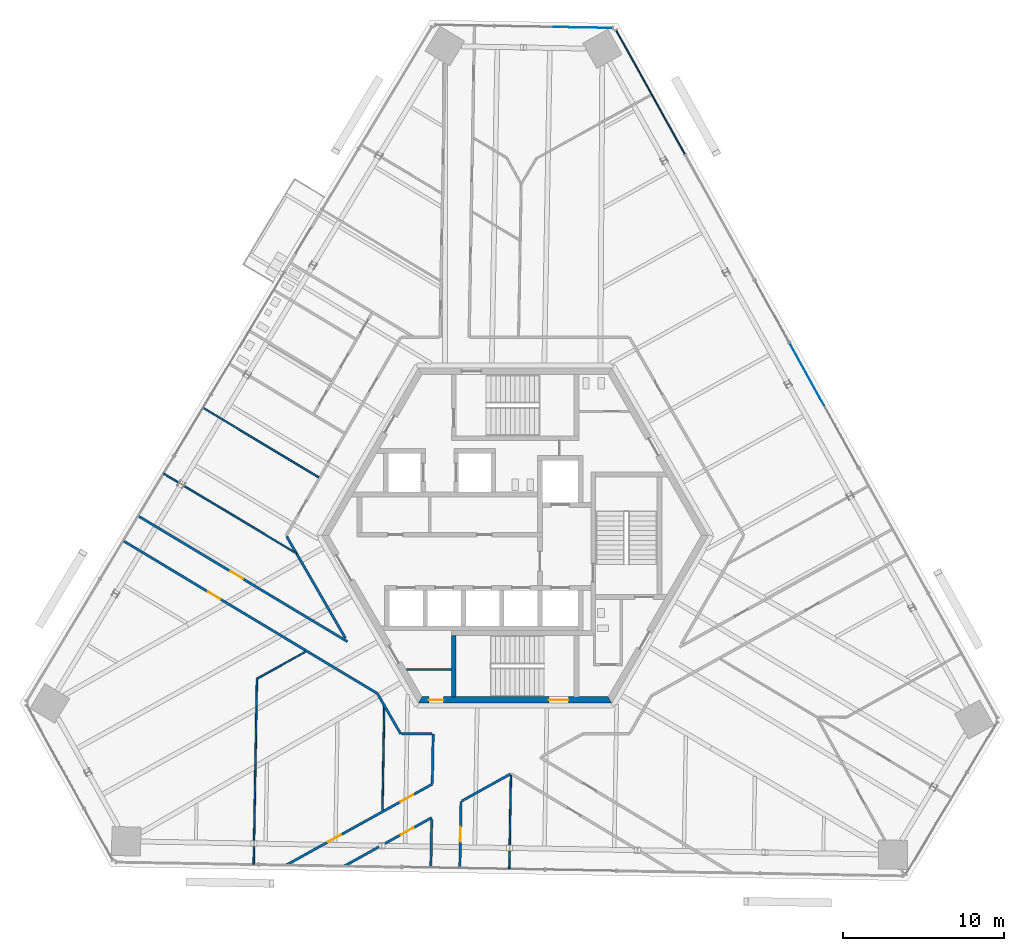
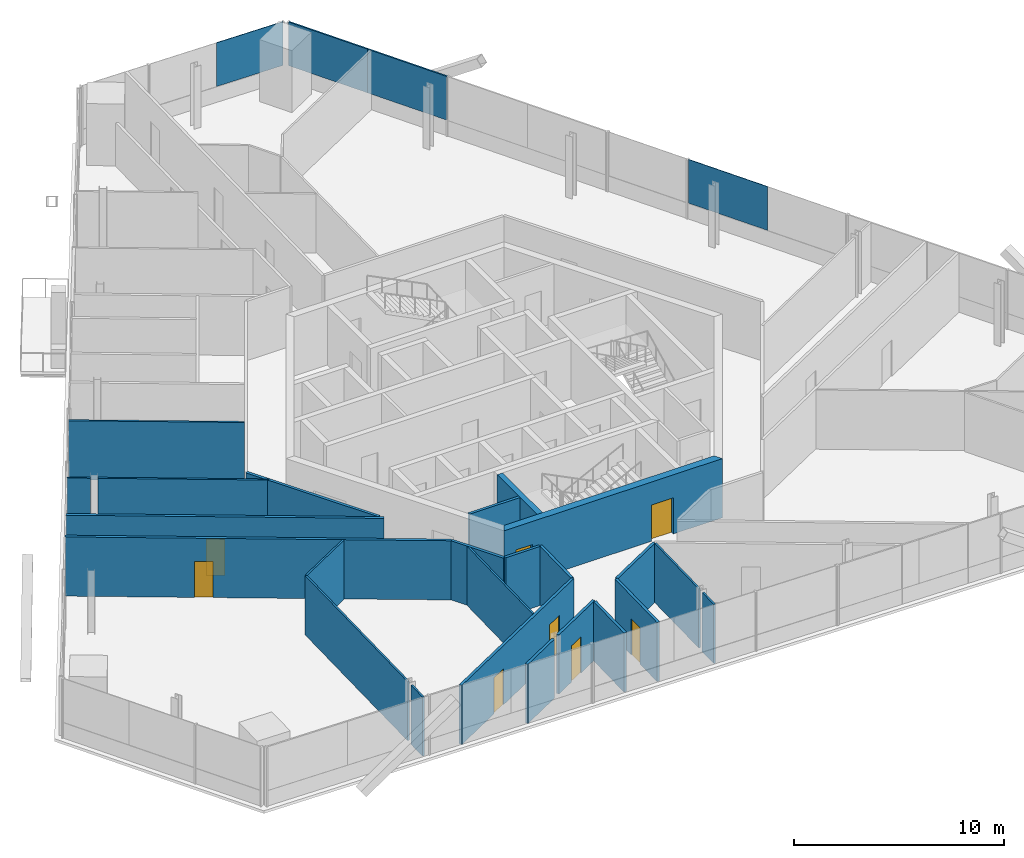
# One storey, part 11 of 19: 24 walls, 8 doors, 4 plates, 8 openings, 3 elements without a shape of their own.
"""IFC4 building model written with IfcOpenShell, lengths in metres."""

from ifc_helpers import new_model, si_unit, direction, frame, frame_2d, origin, origin_2d, place, context, subcontext, project, spatial, polyline, rectangle, outline, extrude, source, transform, mapped, material, layer, layer_set, type_object, element, fill, aggregate, save


model = new_model("IFC4")

# Units and contexts
model_context = context("Model", 3, precision=1e-05, world=origin(), true_north=direction((0.0, 1.0)))
body_context = subcontext(model_context, "Body", "Model", "MODEL_VIEW")
ifc_project = project(units=[si_unit("LENGTHUNIT", "METRE"), si_unit("AREAUNIT", "SQUARE_METRE"), si_unit("VOLUMEUNIT", "CUBIC_METRE"), si_unit("PLANEANGLEUNIT", "RADIAN"), si_unit("MASSUNIT", "GRAM", prefix="KILO")], contexts=[model_context])

# Site, building, storey
site_placement = place(None, origin())
site = spatial("IfcSite", under=ifc_project, at=site_placement, CompositionType="ELEMENT")
building_placement = place(site_placement, origin())
building = spatial("IfcBuilding", under=site, at=building_placement, Name="Triune Harvest Tower", CompositionType="ELEMENT")
storey_placement = place(building_placement, frame((0.0, 0.0, 183.5)))
storey = spatial("IfcBuildingStorey", under=building, at=storey_placement, Name="L47", CompositionType="ELEMENT", Elevation=183.5)

# Curtain wall, plate
ifc_material_1 = material(Name="Aluminium bronze anodised", Category="aluminium")
curtain_wall_type_1 = type_object("IfcCurtainWallType", Name="CW-1 Tower stick curtain wall", PredefinedType="NOTDEFINED", material=ifc_material_1)
curtain_wall_1_placement = place(storey_placement, origin())
curtain_wall_1 = element("IfcCurtainWall", 1, at=curtain_wall_1_placement, inside=storey, type_object=curtain_wall_type_1, Name="CW-1 B5-F2 L47 run 1")
ifc_material_2 = material(Name="Glass", Category="glass")
ifc_layer_1 = layer(ifc_material_2, 0.031982421875)
ifc_layer_set_1 = layer_set([ifc_layer_1], Name="Glass")
plate_type_1 = type_object("IfcPlateType", Name="GL-1 panel 32", PredefinedType="CURTAIN_PANEL", material=ifc_layer_set_1)
shared_shape_1 = source(origin(), body_context, "Body", "SweptSolid", [
    extrude(rectangle(XDim=3.625, YDim=0.031982421875, at=origin_2d()), origin(), (0.0, 0.0, 1.0), 2.5400390625),
])
plate_1_placement = place(storey_placement, frame((4.213134765625, 31.516357421875, 0.89990234375), z_axis=(0.0, 0.0, 1.0), x_axis=(-0.999847801404, 0.017446318452, 0.0)))
plate_1 = element("IfcPlate", 2, at=plate_1_placement, type_object=plate_type_1, Name="CW-1 panel B5-F2 1.1", PredefinedType="CURTAIN_PANEL", context=body_context, shape_type="MappedRepresentation", body=[
    mapped(shared_shape_1, transform((0.0, 0.0, 0.0), scale=1.0)),
])
aggregate(curtain_wall_1, [plate_1])

# Curtain wall, plates
ifc_material_3 = material(Name="Aluminium bronze anodised", Category="aluminium")
curtain_wall_type_2 = type_object("IfcCurtainWallType", Name="CW-7 Tower stick curtain wall with insulated spandrel infill", PredefinedType="NOTDEFINED", material=ifc_material_3)
curtain_wall_2_placement = place(storey_placement, origin())
curtain_wall_2 = element("IfcCurtainWall", 3, at=curtain_wall_2_placement, inside=storey, type_object=curtain_wall_type_2, Name="CW-7 B5-F1 L47 run 2001")
ifc_material_4 = material(Name="Insulated spandrel panel, bronze aluminium pan", Category="aluminium")
ifc_layer_2 = layer(ifc_material_4, 0.080078125)
ifc_layer_set_2 = layer_set([ifc_layer_2], Name="Insulated spandrel panel, bronze aluminium pan")
plate_type_2 = type_object("IfcPlateType", Name="SP-1 insulated spandrel panel 80", PredefinedType="CURTAIN_PANEL", material=ifc_layer_set_2)
shared_shape_2 = source(origin(), body_context, "Body", "SweptSolid", [
    extrude(rectangle(XDim=4.369384765625, YDim=0.080078125, at=origin_2d()), origin(), (0.0, 0.0, 1.0), 2.5400390625),
])
plate_2_placement = place(storey_placement, frame((7.32958984375, 29.4267578125, 0.89990234375), z_axis=(0.0, 0.0, 1.0), x_axis=(-0.484808244015, 0.874620469995, 0.0)))
plate_2 = element("IfcPlate", 4, at=plate_2_placement, type_object=plate_type_2, Name="CW-7 panel B5-F1 2001.4", PredefinedType="CURTAIN_PANEL", context=body_context, shape_type="MappedRepresentation", body=[
    mapped(shared_shape_2, transform((0.0, 0.0, 0.0), scale=1.0)),
])
shared_shape_3 = source(origin(), body_context, "Body", "SweptSolid", [
    extrude(rectangle(XDim=4.40673828125, YDim=0.080078125, at=origin_2d()), origin(), (0.0, 0.0, 1.0), 2.5400390625),
])
plate_3_placement = place(storey_placement, frame((9.45703125, 25.589111328125, 0.89990234375), z_axis=(0.0, 0.0, 1.0), x_axis=(-0.484808244015, 0.874620469995, 0.0)))
plate_3 = element("IfcPlate", 5, at=plate_3_placement, type_object=plate_type_2, Name="CW-7 panel B5-F1 2001.3", PredefinedType="CURTAIN_PANEL", context=body_context, shape_type="MappedRepresentation", body=[
    mapped(shared_shape_3, transform((0.0, 0.0, 0.0), scale=1.0)),
])
aggregate(curtain_wall_2, [plate_3, plate_2])

# Curtain wall, plate
curtain_wall_3_placement = place(storey_placement, origin())
curtain_wall_3 = element("IfcCurtainWall", 6, at=curtain_wall_3_placement, inside=storey, type_object=curtain_wall_type_1, Name="CW-1 B5-F1 L47 run 1001")
shared_shape_4 = source(origin(), body_context, "Body", "SweptSolid", [
    extrude(rectangle(XDim=4.40673828125, YDim=0.031982421875, at=origin_2d()), origin(), (0.0, 0.0, 1.0), 2.5400390625),
])
plate_4_placement = place(storey_placement, frame((18.09375, 10.008056640625, 0.89990234375), z_axis=(0.0, 0.0, 1.0), x_axis=(-0.48480912047, 0.87461998417, 0.0)))
plate_4 = element("IfcPlate", 7, at=plate_4_placement, type_object=plate_type_1, Name="CW-1 panel B5-F1 1001.2", PredefinedType="CURTAIN_PANEL", context=body_context, shape_type="MappedRepresentation", body=[
    mapped(shared_shape_4, transform((0.0, 0.0, 0.0), scale=1.0)),
])
aggregate(curtain_wall_3, [plate_4])

# Walls
ifc_material_5 = material(Name="Gypsum board on steel studs", Category="steel")
ifc_layer_3 = layer(ifc_material_5, 0.14990234375)
ifc_layer_set_3 = layer_set([ifc_layer_3], Name="Gypsum board on steel studs")
wall_type_1 = type_object("IfcWallType", Name="Fire Partition 150 mm", PredefinedType="PARTITIONING", material=ifc_layer_set_3)
wall_1_placement = place(storey_placement, frame((-5.132568359375, -15.362060546875, 0.0), z_axis=(0.0, 0.0, 1.0), x_axis=(0.017414250909, 0.999848360435, 0.0)))
element("IfcWall", 8, at=wall_1_placement, inside=storey, type_object=wall_type_1, Name="Partition L47 055", PredefinedType="PARTITIONING", context=body_context, shape_type="SweptSolid", body=[
    extrude(rectangle(XDim=3.0703125, YDim=0.14990234375, at=frame_2d((1.53515625, 0.0))), origin(), (0.0, 0.0, 1.0), 3.43994140625),
])
ifc_material_6 = material(Name="Gypsum board on steel studs", Category="steel")
ifc_layer_4 = layer(ifc_material_6, 0.10009765625)
ifc_layer_set_4 = layer_set([ifc_layer_4], Name="Gypsum board on steel studs")
wall_type_2 = type_object("IfcWallType", Name="Partition 100 mm", PredefinedType="PARTITIONING", material=ifc_layer_set_4)
wall_2_placement = place(storey_placement, frame((-19.356689453125, 7.931396484375, 0.0), z_axis=(0.0, 0.0, 1.0), x_axis=(0.857171354492, -0.51503132821, 0.0)))
element("IfcWall", 9, at=wall_2_placement, inside=storey, type_object=wall_type_2, Name="Partition L47 014", PredefinedType="PARTITIONING", context=body_context, shape_type="SweptSolid", body=[
    extrude(rectangle(XDim=8.3779296875, YDim=0.10009765625, at=frame_2d((4.18896484375, 0.0))), origin(), (0.0, 0.0, 1.0), 3.43994140625),
])

# Wall, openings, doors
ifc_material_7 = material(Name="Concrete 70 MPa", Category="concrete")
ifc_layer_5 = layer(ifc_material_7, 0.39990234375)
ifc_layer_set_5 = layer_set([ifc_layer_5], Name="Concrete 70 MPa")
wall_type_3 = type_object("IfcWallType", Name="Core wall 400", PredefinedType="SHEAR", material=ifc_layer_set_5)
shared_shape_5 = source(origin(), body_context, "Body", "SweptSolid", [
    extrude(outline(polyline([(-0.115478515625, -0.199951171875), (11.884521484375, -0.199951171875), (11.653564453125, 0.199951171875), (0.115478515625, 0.199951171875), (-0.115478515625, -0.199951171875)])), origin(), (0.0, 0.0, 1.0), 3.43994140625),
])
wall_3_placement = place(storey_placement, frame((-5.884521484375, -10.1923828125, 0.0), z_axis=(0.0, 0.0, 1.0), x_axis=(1.0, 0.0, 0.0)))
wall_3 = element("IfcWall", 10, at=wall_3_placement, inside=storey, type_object=wall_type_3, Name="Hexagon 4 wall", PredefinedType="SHEAR", context=body_context, shape_type="MappedRepresentation", body=[
    mapped(shared_shape_5, transform((0.0, 0.0, 0.0), scale=1.0)),
])
opening_1_placement = place(wall_3_placement, frame((7.984619140625, 0.0, 0.0)))
opening_1 = element("IfcOpeningElement", 11, at=opening_1_placement, cuts=wall_3, Name="Opening CD-S2P", PredefinedType="OPENING", context=body_context, shape_type="SweptSolid", body=[
    extrude(rectangle(XDim=1.199951171875, YDim=2.10009765625, at=frame_2d((0.60009765625, 1.050048828125))), frame((0.0, 0.2099609375, 0.0), z_axis=(0.0, -1.0, 0.0), x_axis=(1.0, 0.0, 0.0)), (0.0, 0.0, 1.0), 0.419921875),
])
opening_2_placement = place(wall_3_placement, frame((0.534423828125, 0.0, 0.0)))
opening_2 = element("IfcOpeningElement", 12, at=opening_2_placement, cuts=wall_3, Name="Opening CD-SWS", PredefinedType="OPENING", context=body_context, shape_type="SweptSolid", body=[
    extrude(rectangle(XDim=0.89990234375, YDim=2.10009765625, at=frame_2d((0.449951171875, 1.050048828125))), frame((0.0, 0.2099609375, 0.0), z_axis=(0.0, -1.0, 0.0), x_axis=(1.0, 0.0, 0.0)), (0.0, 0.0, 1.0), 0.419921875),
])
ifc_material_8 = material(Name="Steel S235", Category="steel")
door_type_1 = type_object("IfcDoorType", Name="Riser door 900 FD120", OperationType="SINGLE_SWING_LEFT", PredefinedType="DOOR", material=ifc_material_8)
door_1_placement = place(opening_2_placement, frame((0.89990234375, 0.0, 0.0), z_axis=(0.0, 0.0, 1.0), x_axis=(-1.0, 0.0, 0.0)))
door_1 = element("IfcDoor", 13, at=door_1_placement, inside=storey, type_object=door_type_1, Name="Door CD-SWS", OperationType="SINGLE_SWING_RIGHT", OverallHeight=2.10009765625, OverallWidth=0.89990234375, PredefinedType="DOOR", context=body_context, shape_type="SweptSolid", body=[
    extrude(rectangle(XDim=0.89990234375, YDim=2.10009765625, at=frame_2d((0.449951171875, 1.050048828125))), frame((0.0, 0.02490234375, 0.0), z_axis=(0.0, -1.0, 0.0), x_axis=(1.0, 0.0, 0.0)), (0.0, 0.0, 1.0), 0.050048828125),
])
fill(opening_2, door_1)
ifc_material_9 = material(Name="Steel S235", Category="steel")
door_type_2 = type_object("IfcDoorType", Name="Stair door 1200 FD120", OperationType="SINGLE_SWING_LEFT", PredefinedType="DOOR", material=ifc_material_9)
door_2_placement = place(opening_1_placement, frame((1.199951171875, 0.0, 0.0), z_axis=(0.0, 0.0, 1.0), x_axis=(-1.0, 0.0, 0.0)))
door_2 = element("IfcDoor", 14, at=door_2_placement, inside=storey, type_object=door_type_2, Name="Door CD-S2P", OperationType="SINGLE_SWING_RIGHT", OverallHeight=2.10009765625, OverallWidth=1.199951171875, PredefinedType="DOOR", context=body_context, shape_type="SweptSolid", body=[
    extrude(rectangle(XDim=1.199951171875, YDim=2.10009765625, at=frame_2d((0.60009765625, 1.050048828125))), frame((0.0, 0.02490234375, 0.0), z_axis=(0.0, -1.0, 0.0), x_axis=(1.0, 0.0, 0.0)), (0.0, 0.0, 1.0), 0.050048828125),
])
fill(opening_1, door_2)

# Walls
ifc_material_10 = material(Name="Concrete 70 MPa", Category="concrete")
ifc_layer_6 = layer(ifc_material_10, 0.300048828125)
ifc_layer_set_6 = layer_set([ifc_layer_6], Name="Concrete 70 MPa")
wall_type_4 = type_object("IfcWallType", Name="Core wall 300", PredefinedType="SHEAR", material=ifc_layer_set_6)
shared_shape_6 = source(origin(), body_context, "Body", "SweptSolid", [
    extrude(outline(polyline([(3.800048828125, -0.14990234375), (-0.00439453125, -0.14990234375), (-0.00439453125, 0.14990234375), (3.800048828125, 0.14990234375), (3.800048828125, -0.14990234375)])), origin(), (0.0, 0.0, 1.0), 3.43994140625),
])
wall_4_placement = place(storey_placement, frame((-3.800048828125, -9.989990234375, 0.0), z_axis=(0.0, 0.0, 1.0), x_axis=(0.0, 1.0, 0.0)))
element("IfcWall", 15, at=wall_4_placement, inside=storey, type_object=wall_type_4, Name="Stair s west wall", PredefinedType="SHEAR", context=body_context, shape_type="MappedRepresentation", body=[
    mapped(shared_shape_6, transform((0.0, 0.0, 0.0), scale=1.0)),
])
ifc_material_11 = material(Name="Concrete masonry unit", Category="masonry")
ifc_layer_7 = layer(ifc_material_11, 0.14990234375)
ifc_layer_set_7 = layer_set([ifc_layer_7], Name="Concrete masonry unit")
wall_type_5 = type_object("IfcWallType", Name="Block partition 150", PredefinedType="PARTITIONING", material=ifc_layer_set_7)
shared_shape_7 = source(origin(), body_context, "Body", "SweptSolid", [
    extrude(rectangle(XDim=2.777099609375, YDim=0.14990234375, at=frame_2d((1.388671875, 0.0))), origin(), (0.0, 0.0, 1.0), 3.43994140625),
])
wall_5_placement = place(storey_placement, frame((-6.72705078125, -8.300048828125, 0.0), z_axis=(0.0, 0.0, 1.0), x_axis=(1.0, 0.0, 0.0)))
element("IfcWall", 16, at=wall_5_placement, inside=storey, type_object=wall_type_5, Name="Sw part wall", PredefinedType="PARTITIONING", context=body_context, shape_type="MappedRepresentation", body=[
    mapped(shared_shape_7, transform((0.0, 0.0, 0.0), scale=1.0)),
])
shared_shape_8 = source(origin(), body_context, "Body", "SweptSolid", [
    extrude(rectangle(XDim=7.291015625, YDim=0.14990234375, at=frame_2d((3.6455078125, 0.0))), origin(), (0.0, 0.0, 1.0), 3.43994140625),
])
wall_6_placement = place(storey_placement, frame((-14.168701171875, -0.043701171875, 0.0), z_axis=(0.0, 0.0, 1.0), x_axis=(0.499999748559, -0.866025548954, 0.0)))
element("IfcWall", 17, at=wall_6_placement, inside=storey, type_object=wall_type_1, Name="Partition L47 004", PredefinedType="PARTITIONING", context=body_context, shape_type="MappedRepresentation", body=[
    mapped(shared_shape_8, transform((0.0, 0.0, 0.0), scale=1.0)),
])
shared_shape_9 = source(origin(), body_context, "Body", "SweptSolid", [
    extrude(rectangle(XDim=2.869873046875, YDim=0.14990234375, at=frame_2d((1.43505859375, 0.0))), origin(), (0.0, 0.0, 1.0), 3.43994140625),
])
wall_7_placement = place(storey_placement, frame((-8.531982421875, -9.806884765625, 0.0), z_axis=(0.0, 0.0, 1.0), x_axis=(0.499972835562, -0.866041086612, 0.0)))
element("IfcWall", 18, at=wall_7_placement, inside=storey, type_object=wall_type_1, Name="Partition L47 005", PredefinedType="PARTITIONING", context=body_context, shape_type="MappedRepresentation", body=[
    mapped(shared_shape_9, transform((0.0, 0.0, 0.0), scale=1.0)),
])

# Wall, opening, door
shared_shape_10 = source(origin(), body_context, "Body", "SweptSolid", [
    extrude(rectangle(XDim=18.3974609375, YDim=0.14990234375, at=frame_2d((9.19873046875, 0.0))), origin(), (0.0, 0.0, 1.0), 3.43994140625),
])
wall_8_placement = place(storey_placement, frame((-24.3115234375, -0.314453125, 0.0), z_axis=(0.0, 0.0, 1.0), x_axis=(0.857169585302, -0.515034272679, 0.0)))
wall_8 = element("IfcWall", 19, at=wall_8_placement, inside=storey, type_object=wall_type_1, Name="Partition L47 007", PredefinedType="PARTITIONING", context=body_context, shape_type="MappedRepresentation", body=[
    mapped(shared_shape_10, transform((0.0, 0.0, 0.0), scale=1.0)),
])
opening_3_placement = place(wall_8_placement, frame((6.14990234375, 0.0, 0.0)))
opening_3 = element("IfcOpeningElement", 20, at=opening_3_placement, cuts=wall_8, Name="Opening L47-016", PredefinedType="OPENING", context=body_context, shape_type="SweptSolid", body=[
    extrude(rectangle(XDim=0.89990234375, YDim=2.10009765625, at=frame_2d((0.449951171875, 1.050048828125))), frame((0.0, 0.0849609375, 0.0), z_axis=(0.0, -1.0, 0.0), x_axis=(1.0, 0.0, 0.0)), (0.0, 0.0, 1.0), 0.169921875),
])
ifc_material_12 = material(Name="Timber and steel door set", Category="steel")
door_type_3 = type_object("IfcDoorType", Name="Single leaf door FD30 right hand 900 x 2100", OperationType="SINGLE_SWING_RIGHT", PredefinedType="DOOR", material=ifc_material_12)
door_3_placement = place(opening_3_placement, origin())
door_3 = element("IfcDoor", 21, at=door_3_placement, inside=storey, type_object=door_type_3, Name="Door L47-016 Office 47.16", OperationType="SINGLE_SWING_RIGHT", OverallHeight=2.10009765625, OverallWidth=0.89990234375, PredefinedType="DOOR", context=body_context, shape_type="SweptSolid", body=[
    extrude(rectangle(XDim=0.89990234375, YDim=2.10009765625, at=frame_2d((0.449951171875, 1.050048828125))), frame((0.0, 0.02490234375, 0.0), z_axis=(0.0, -1.0, 0.0), x_axis=(1.0, 0.0, 0.0)), (0.0, 0.0, 1.0), 0.050048828125),
])
fill(opening_3, door_3)

shared_shape_11 = source(origin(), body_context, "Body", "SweptSolid", [
    extrude(rectangle(XDim=15.150390625, YDim=0.14990234375, at=frame_2d((7.5751953125, 0.0))), origin(), (0.0, 0.0, 1.0), 3.43994140625),
])
wall_9_placement = place(storey_placement, frame((-23.384521484375, 1.228515625, 0.0), z_axis=(0.0, 0.0, 1.0), x_axis=(0.857167144527, -0.515038334829, 0.0)))
wall_9 = element("IfcWall", 22, at=wall_9_placement, inside=storey, type_object=wall_type_1, Name="Partition L47 010", PredefinedType="PARTITIONING", context=body_context, shape_type="MappedRepresentation", body=[
    mapped(shared_shape_11, transform((0.0, 0.0, 0.0), scale=1.0)),
])
opening_4_placement = place(wall_9_placement, frame((6.681396484375, 0.0, 0.0)))
opening_4 = element("IfcOpeningElement", 23, at=opening_4_placement, cuts=wall_9, Name="Opening L47-017", PredefinedType="OPENING", context=body_context, shape_type="SweptSolid", body=[
    extrude(rectangle(XDim=0.89990234375, YDim=2.10009765625, at=frame_2d((0.449951171875, 1.050048828125))), frame((0.0, 0.0849609375, 0.0), z_axis=(0.0, -1.0, 0.0), x_axis=(1.0, 0.0, 0.0)), (0.0, 0.0, 1.0), 0.169921875),
])
ifc_material_13 = material(Name="Timber and steel door set", Category="steel")
door_type_4 = type_object("IfcDoorType", Name="Single leaf door FD30 left hand 900 x 2100", OperationType="SINGLE_SWING_LEFT", PredefinedType="DOOR", material=ifc_material_13)
door_4_placement = place(opening_4_placement, origin())
door_4 = element("IfcDoor", 24, at=door_4_placement, inside=storey, type_object=door_type_4, Name="Door L47-017 Office 47.17", OperationType="SINGLE_SWING_LEFT", OverallHeight=2.10009765625, OverallWidth=0.89990234375, PredefinedType="DOOR", context=body_context, shape_type="SweptSolid", body=[
    extrude(rectangle(XDim=0.89990234375, YDim=2.10009765625, at=frame_2d((0.449951171875, 1.050048828125))), frame((0.0, 0.02490234375, 0.0), z_axis=(0.0, -1.0, 0.0), x_axis=(1.0, 0.0, 0.0)), (0.0, 0.0, 1.0), 0.050048828125),
])
fill(opening_4, door_4)

# Walls
shared_shape_12 = source(origin(), body_context, "Body", "SweptSolid", [
    extrude(rectangle(XDim=1.13037109375, YDim=0.10009765625, at=frame_2d((0.565185546875, 0.0))), origin(), (0.0, 0.0, 1.0), 3.43994140625),
])
for number, where, z_axis, x_axis, name in (
    (25, (-21.806396484375, 3.8544921875, 0.0), (0.0, 0.0, 1.0), (0.857149738065, -0.515067302919, 0.0), "Partition L47 012"),
    (26, (-0.35986328125, -20.673828125, 0.0), (0.0, 0.0, 1.0), (0.017495701451, 0.999846938501, 0.0), "Partition L47 049"),
):
    element("IfcWall", number, at=place(storey_placement, frame(where, z_axis=z_axis, x_axis=x_axis)), inside=storey, type_object=wall_type_2, Name=name, PredefinedType="PARTITIONING", context=body_context, shape_type="MappedRepresentation", body=[
        mapped(shared_shape_12, transform((0.0, 0.0, 0.0), scale=1.0)),
    ])
shared_shape_13 = source(origin(), body_context, "Body", "SweptSolid", [
    extrude(rectangle(XDim=8.149658203125, YDim=0.10009765625, at=frame_2d((4.07470703125, 0.0))), origin(), (0.0, 0.0, 1.0), 3.43994140625),
])
wall_10_placement = place(storey_placement, frame((-20.543212890625, 3.095458984375, 0.0), z_axis=(0.0, 0.0, 1.0), x_axis=(0.857172920036, -0.515028722653, 0.0)))
element("IfcWall", 27, at=wall_10_placement, inside=storey, type_object=wall_type_2, Name="Partition L47 013", PredefinedType="PARTITIONING", context=body_context, shape_type="MappedRepresentation", body=[
    mapped(shared_shape_13, transform((0.0, 0.0, 0.0), scale=1.0)),
])
shared_shape_14 = source(origin(), body_context, "Body", "SweptSolid", [
    extrude(rectangle(XDim=1.130615234375, YDim=0.10009765625, at=frame_2d((0.5654296875, 0.0))), origin(), (0.0, 0.0, 1.0), 3.43994140625),
])
wall_11_placement = place(storey_placement, frame((-16.212890625, -20.397216796875, 0.0), z_axis=(0.0, 0.0, 1.0), x_axis=(0.017491923839, 0.999847004596, 0.0)))
element("IfcWall", 28, at=wall_11_placement, inside=storey, type_object=wall_type_2, Name="Partition L47 058", PredefinedType="PARTITIONING", context=body_context, shape_type="MappedRepresentation", body=[
    mapped(shared_shape_14, transform((0.0, 0.0, 0.0), scale=1.0)),
])
shared_shape_15 = source(origin(), body_context, "Body", "SweptSolid", [
    extrude(rectangle(XDim=4.34375, YDim=0.10009765625, at=frame_2d((2.171875, 0.0))), origin(), (0.0, 0.0, 1.0), 3.43994140625),
])
wall_12_placement = place(storey_placement, frame((-0.334228515625, -19.200439453125, 0.0), z_axis=(0.0, 0.0, 1.0), x_axis=(0.01742385406, 0.999848193132, 0.0)))
element("IfcWall", 29, at=wall_12_placement, inside=storey, type_object=wall_type_2, Name="Partition L47 050", PredefinedType="PARTITIONING", context=body_context, shape_type="MappedRepresentation", body=[
    mapped(shared_shape_15, transform((0.0, 0.0, 0.0), scale=1.0)),
])
shared_shape_16 = source(origin(), body_context, "Body", "SweptSolid", [
    extrude(rectangle(XDim=1.908203125, YDim=0.14990234375, at=frame_2d((0.9541015625, 0.0))), origin(), (0.0, 0.0, 1.0), 3.43994140625),
])
wall_13_placement = place(storey_placement, frame((-7.047119140625, -12.292236328125, 0.0), z_axis=(0.0, 0.0, 1.0), x_axis=(1.0, 0.0, 0.0)))
element("IfcWall", 30, at=wall_13_placement, inside=storey, type_object=wall_type_1, Name="Partition L47 028", PredefinedType="PARTITIONING", context=body_context, shape_type="MappedRepresentation", body=[
    mapped(shared_shape_16, transform((0.0, 0.0, 0.0), scale=1.0)),
])
shared_shape_17 = source(origin(), body_context, "Body", "SweptSolid", [
    extrude(rectangle(XDim=2.45849609375, YDim=0.14990234375, at=frame_2d((1.229248046875, 0.0))), origin(), (0.0, 0.0, 1.0), 3.43994140625),
])
wall_14_placement = place(storey_placement, frame((-10.59130859375, -20.495361328125, 0.0), z_axis=(0.0, 0.0, 1.0), x_axis=(0.874634617379, 0.484782720486, 0.0)))
element("IfcWall", 31, at=wall_14_placement, inside=storey, type_object=wall_type_1, Name="Partition L47 033", PredefinedType="PARTITIONING", context=body_context, shape_type="MappedRepresentation", body=[
    mapped(shared_shape_17, transform((0.0, 0.0, 0.0), scale=1.0)),
])

# Wall, opening, door
shared_shape_18 = source(origin(), body_context, "Body", "SweptSolid", [
    extrude(rectangle(XDim=3.334716796875, YDim=0.14990234375, at=frame_2d((1.66748046875, 0.0))), origin(), (0.0, 0.0, 1.0), 3.43994140625),
])
wall_15_placement = place(storey_placement, frame((-8.08642578125, -19.10693359375, 0.0), z_axis=(0.0, 0.0, 1.0), x_axis=(0.874629958331, 0.484791126146, 0.0)))
wall_15 = element("IfcWall", 32, at=wall_15_placement, inside=storey, type_object=wall_type_1, Name="Partition L47 034", PredefinedType="PARTITIONING", context=body_context, shape_type="MappedRepresentation", body=[
    mapped(shared_shape_18, transform((0.0, 0.0, 0.0), scale=1.0)),
])
opening_5_placement = place(wall_15_placement, frame((1.1474609375, 0.0, 0.0)))
opening_5 = element("IfcOpeningElement", 33, at=opening_5_placement, cuts=wall_15, Name="Opening L47-019", PredefinedType="OPENING", context=body_context, shape_type="SweptSolid", body=[
    extrude(rectangle(XDim=0.89990234375, YDim=2.10009765625, at=frame_2d((0.449951171875, 1.050048828125))), frame((0.0, 0.0849609375, 0.0), z_axis=(0.0, -1.0, 0.0), x_axis=(1.0, 0.0, 0.0)), (0.0, 0.0, 1.0), 0.169921875),
])
door_5_placement = place(opening_5_placement, origin())
door_5 = element("IfcDoor", 34, at=door_5_placement, inside=storey, type_object=door_type_3, Name="Door L47-019 Office 47.19", OperationType="SINGLE_SWING_RIGHT", OverallHeight=2.10009765625, OverallWidth=0.89990234375, PredefinedType="DOOR", context=body_context, shape_type="SweptSolid", body=[
    extrude(rectangle(XDim=0.89990234375, YDim=2.10009765625, at=frame_2d((0.449951171875, 1.050048828125))), frame((0.0, 0.02490234375, 0.0), z_axis=(0.0, -1.0, 0.0), x_axis=(1.0, 0.0, 0.0)), (0.0, 0.0, 1.0), 0.050048828125),
])
fill(opening_5, door_5)

# Wall
shared_shape_19 = source(origin(), body_context, "Body", "SweptSolid", [
    extrude(rectangle(XDim=3.447509765625, YDim=0.14990234375, at=frame_2d((1.7236328125, 0.0))), origin(), (0.0, 0.0, 1.0), 3.43994140625),
])
wall_16_placement = place(storey_placement, frame((-3.30810546875, -16.458251953125, 0.0), z_axis=(0.0, 0.0, 1.0), x_axis=(0.874627847165, 0.48479493496, 0.0)))
element("IfcWall", 35, at=wall_16_placement, inside=storey, type_object=wall_type_1, Name="Partition L47 035", PredefinedType="PARTITIONING", context=body_context, shape_type="MappedRepresentation", body=[
    mapped(shared_shape_19, transform((0.0, 0.0, 0.0), scale=1.0)),
])

# Wall, openings, doors
shared_shape_20 = source(origin(), body_context, "Body", "SweptSolid", [
    extrude(rectangle(XDim=10.355712890625, YDim=0.14990234375, at=frame_2d((5.177734375, 0.0))), origin(), (0.0, 0.0, 1.0), 3.43994140625),
])
wall_17_placement = place(storey_placement, frame((-14.190673828125, -20.4326171875, 0.0), z_axis=(0.0, 0.0, 1.0), x_axis=(0.874622821038, 0.484804002583, 0.0)))
wall_17 = element("IfcWall", 36, at=wall_17_placement, inside=storey, type_object=wall_type_1, Name="Partition L47 038", PredefinedType="PARTITIONING", context=body_context, shape_type="MappedRepresentation", body=[
    mapped(shared_shape_20, transform((0.0, 0.0, 0.0), scale=1.0)),
])
opening_6_placement = place(wall_17_placement, frame((2.968017578125, 0.0, 0.0)))
opening_6 = element("IfcOpeningElement", 37, at=opening_6_placement, cuts=wall_17, Name="Opening L47-018", PredefinedType="OPENING", context=body_context, shape_type="SweptSolid", body=[
    extrude(rectangle(XDim=0.89990234375, YDim=2.10009765625, at=frame_2d((0.449951171875, 1.050048828125))), frame((0.0, 0.0849609375, 0.0), z_axis=(0.0, -1.0, 0.0), x_axis=(1.0, 0.0, 0.0)), (0.0, 0.0, 1.0), 0.169921875),
])
opening_7_placement = place(wall_17_placement, frame((8.105712890625, 0.0, 0.0)))
opening_7 = element("IfcOpeningElement", 38, at=opening_7_placement, cuts=wall_17, Name="Opening L47-020", PredefinedType="OPENING", context=body_context, shape_type="SweptSolid", body=[
    extrude(rectangle(XDim=0.89990234375, YDim=2.10009765625, at=frame_2d((0.449951171875, 1.050048828125))), frame((0.0, 0.0849609375, 0.0), z_axis=(0.0, -1.0, 0.0), x_axis=(1.0, 0.0, 0.0)), (0.0, 0.0, 1.0), 0.169921875),
])
door_6_placement = place(opening_6_placement, origin())
door_6 = element("IfcDoor", 39, at=door_6_placement, inside=storey, type_object=door_type_4, Name="Door L47-018 Open Office 47.18", OperationType="SINGLE_SWING_LEFT", OverallHeight=2.10009765625, OverallWidth=0.89990234375, PredefinedType="DOOR", context=body_context, shape_type="SweptSolid", body=[
    extrude(rectangle(XDim=0.89990234375, YDim=2.10009765625, at=frame_2d((0.449951171875, 1.050048828125))), frame((0.0, 0.02490234375, 0.0), z_axis=(0.0, -1.0, 0.0), x_axis=(1.0, 0.0, 0.0)), (0.0, 0.0, 1.0), 0.050048828125),
])
fill(opening_6, door_6)
door_7_placement = place(opening_7_placement, origin())
door_7 = element("IfcDoor", 40, at=door_7_placement, inside=storey, type_object=door_type_3, Name="Door L47-020 Office 47.20", OperationType="SINGLE_SWING_RIGHT", OverallHeight=2.10009765625, OverallWidth=0.89990234375, PredefinedType="DOOR", context=body_context, shape_type="SweptSolid", body=[
    extrude(rectangle(XDim=0.89990234375, YDim=2.10009765625, at=frame_2d((0.449951171875, 1.050048828125))), frame((0.0, 0.02490234375, 0.0), z_axis=(0.0, -1.0, 0.0), x_axis=(1.0, 0.0, 0.0)), (0.0, 0.0, 1.0), 0.050048828125),
])
fill(opening_7, door_7)

# Wall
shared_shape_21 = source(origin(), body_context, "Body", "SweptSolid", [
    extrude(rectangle(XDim=3.427490234375, YDim=0.10009765625, at=frame_2d((1.7138671875, 0.0))), origin(), (0.0, 0.0, 1.0), 3.43994140625),
])
wall_18_placement = place(storey_placement, frame((-15.994384765625, -8.86572265625, 0.0), z_axis=(0.0, 0.0, 1.0), x_axis=(0.874630605505, 0.484789958553, 0.0)))
element("IfcWall", 41, at=wall_18_placement, inside=storey, type_object=wall_type_2, Name="Partition L47 042", PredefinedType="PARTITIONING", context=body_context, shape_type="MappedRepresentation", body=[
    mapped(shared_shape_21, transform((0.0, 0.0, 0.0), scale=1.0)),
])

# Wall, opening, door
shared_shape_22 = source(origin(), body_context, "Body", "SweptSolid", [
    extrude(rectangle(XDim=4.138916015625, YDim=0.14990234375, at=frame_2d((2.0693359375, 0.0))), origin(), (0.0, 0.0, 1.0), 3.43994140625),
])
wall_19_placement = place(storey_placement, frame((-3.42431640625, -20.62060546875, 0.0), z_axis=(0.0, 0.0, 1.0), x_axis=(0.01751943465, 0.999846522927, 0.0)))
wall_19 = element("IfcWall", 42, at=wall_19_placement, inside=storey, type_object=wall_type_1, Name="Partition L47 052", PredefinedType="PARTITIONING", context=body_context, shape_type="MappedRepresentation", body=[
    mapped(shared_shape_22, transform((0.0, 0.0, 0.0), scale=1.0)),
])
opening_8_placement = place(wall_19_placement, frame((1.650146484375, 0.0, 0.0)))
opening_8 = element("IfcOpeningElement", 43, at=opening_8_placement, cuts=wall_19, Name="Opening L47-021", PredefinedType="OPENING", context=body_context, shape_type="SweptSolid", body=[
    extrude(rectangle(XDim=0.89990234375, YDim=2.10009765625, at=frame_2d((0.449951171875, 1.050048828125))), frame((0.0, 0.0849609375, 0.0), z_axis=(0.0, -1.0, 0.0), x_axis=(1.0, 0.0, 0.0)), (0.0, 0.0, 1.0), 0.169921875),
])
door_8_placement = place(opening_8_placement, origin())
door_8 = element("IfcDoor", 44, at=door_8_placement, inside=storey, type_object=door_type_4, Name="Door L47-021 Meeting Room 47.21", OperationType="SINGLE_SWING_LEFT", OverallHeight=2.10009765625, OverallWidth=0.89990234375, PredefinedType="DOOR", context=body_context, shape_type="SweptSolid", body=[
    extrude(rectangle(XDim=0.89990234375, YDim=2.10009765625, at=frame_2d((0.449951171875, 1.050048828125))), frame((0.0, 0.02490234375, 0.0), z_axis=(0.0, -1.0, 0.0), x_axis=(1.0, 0.0, 0.0)), (0.0, 0.0, 1.0), 0.050048828125),
])
fill(opening_8, door_8)

# Walls
shared_shape_23 = source(origin(), body_context, "Body", "SweptSolid", [
    extrude(rectangle(XDim=2.989501953125, YDim=0.14990234375, at=frame_2d((1.49462890625, 0.0))), origin(), (0.0, 0.0, 1.0), 3.43994140625),
])
wall_20_placement = place(storey_placement, frame((-5.223876953125, -20.589111328125, 0.0), z_axis=(0.0, 0.0, 1.0), x_axis=(0.017476706357, 0.999847270704, 0.0)))
element("IfcWall", 45, at=wall_20_placement, inside=storey, type_object=wall_type_1, Name="Partition L47 054", PredefinedType="PARTITIONING", context=body_context, shape_type="MappedRepresentation", body=[
    mapped(shared_shape_23, transform((0.0, 0.0, 0.0), scale=1.0)),
])
shared_shape_24 = source(origin(), body_context, "Body", "SweptSolid", [
    extrude(rectangle(XDim=6.50439453125, YDim=0.10009765625, at=frame_2d((3.252197265625, 0.0))), origin(), (0.0, 0.0, 1.0), 3.43994140625),
])
wall_21_placement = place(storey_placement, frame((-8.225830078125, -17.037109375, 0.0), z_axis=(0.0, 0.0, 1.0), x_axis=(0.017453606446, 0.999847674209, 0.0)))
element("IfcWall", 46, at=wall_21_placement, inside=storey, type_object=wall_type_2, Name="Partition L47 057", PredefinedType="PARTITIONING", context=body_context, shape_type="MappedRepresentation", body=[
    mapped(shared_shape_24, transform((0.0, 0.0, 0.0), scale=1.0)),
])
shared_shape_25 = source(origin(), body_context, "Body", "SweptSolid", [
    extrude(rectangle(XDim=10.049560546875, YDim=0.10009765625, at=frame_2d((5.02490234375, 0.0))), origin(), (0.0, 0.0, 1.0), 3.43994140625),
])
wall_22_placement = place(storey_placement, frame((-16.187255859375, -18.923583984375, 0.0), z_axis=(0.0, 0.0, 1.0), x_axis=(0.017467024061, 0.999847439898, 0.0)))
element("IfcWall", 47, at=wall_22_placement, inside=storey, type_object=wall_type_2, Name="Partition L47 059", PredefinedType="PARTITIONING", context=body_context, shape_type="MappedRepresentation", body=[
    mapped(shared_shape_25, transform((0.0, 0.0, 0.0), scale=1.0)),
])

save(model, "model.ifc")
